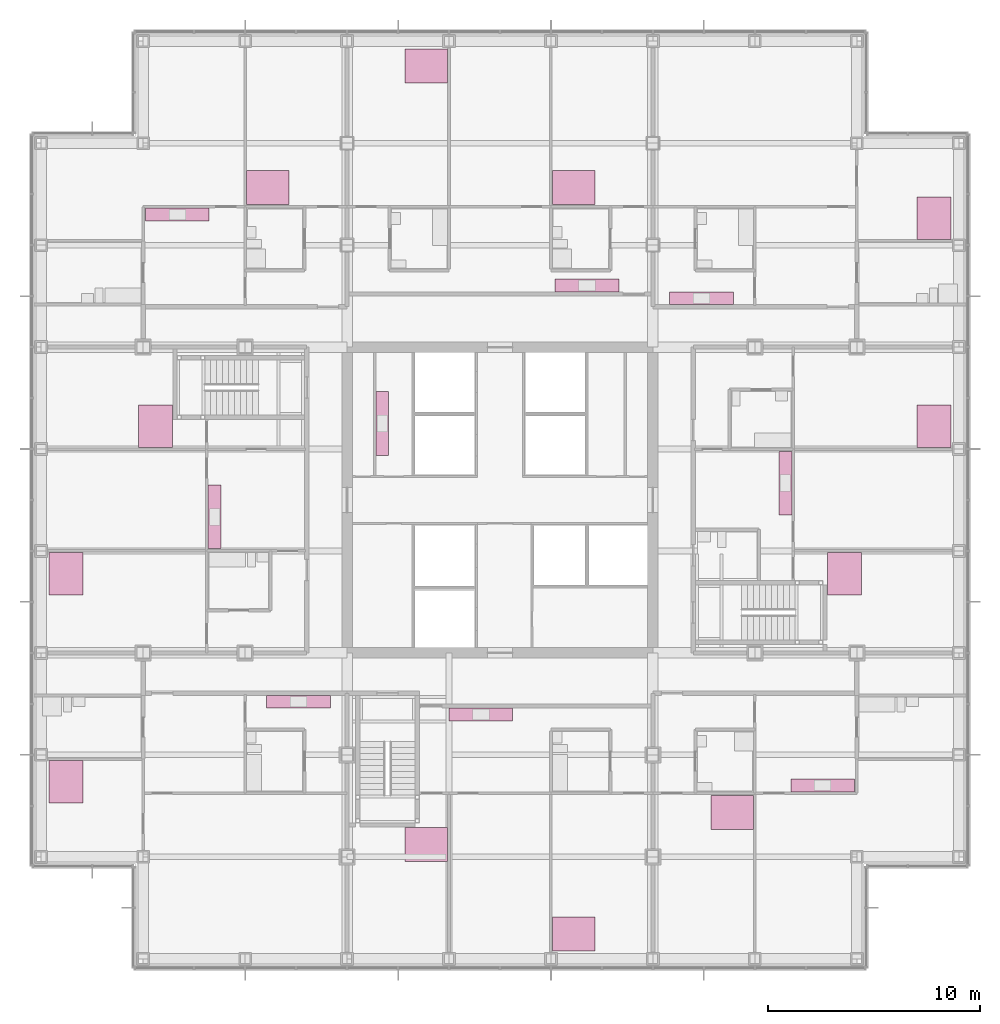
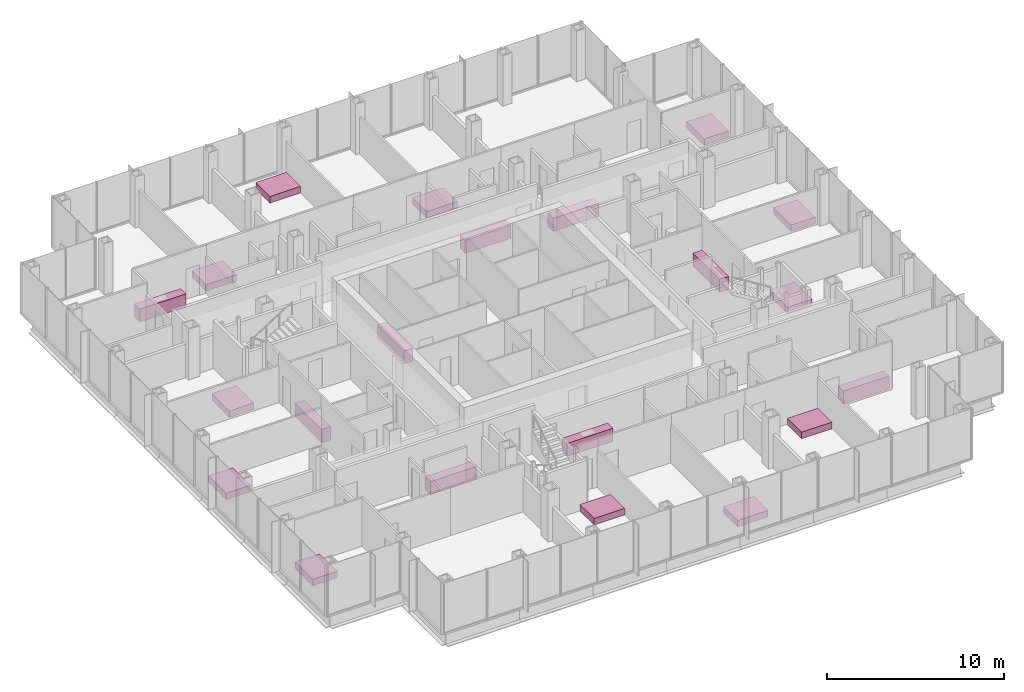
# One storey, part 21 of 21: 21 furniture elements.
"""IFC4 building model written with IfcOpenShell, lengths in metres."""

from ifc_helpers import new_model, si_unit, direction, frame, origin, origin_2d, place, context, subcontext, project, spatial, rectangle, extrude, material, type_object, element, save


model = new_model("IFC4")

# Units and contexts
model_context = context("Model", 3, precision=1e-05, world=origin(), true_north=direction((0.0, 1.0)))
body_context = subcontext(model_context, "Body", "Model", "MODEL_VIEW")
ifc_project = project(units=[si_unit("LENGTHUNIT", "METRE"), si_unit("AREAUNIT", "SQUARE_METRE"), si_unit("VOLUMEUNIT", "CUBIC_METRE"), si_unit("PLANEANGLEUNIT", "RADIAN"), si_unit("MASSUNIT", "GRAM", prefix="KILO")], contexts=[model_context])

# Site, building, storey
site_placement = place(None, origin())
site = spatial("IfcSite", under=ifc_project, at=site_placement, CompositionType="ELEMENT")
building_placement = place(site_placement, origin())
building = spatial("IfcBuilding", under=site, at=building_placement, Name="Kvirike Care Tower", CompositionType="ELEMENT")
storey_placement = place(building_placement, frame((0.0, 0.0, 65.5)))
storey = spatial("IfcBuildingStorey", under=building, at=storey_placement, Name="L17", CompositionType="ELEMENT", Elevation=65.5)

# Furniture
ifc_material_1 = material(Name="Timber", Category="wood")
furniture_type_1 = type_object("IfcFurnitureType", Name="DOUBLE BED 1600 x 2000", AssemblyPlace="FACTORY", PredefinedType="BED", material=ifc_material_1)
for number, where, z_axis, x_axis, name in (
    (1, (1.169921875, 22.738037109375, 0.0), (0.0, 0.0, 1.0), (1.0, 0.0, 0.0), "Double bed L17-002"),
    (2, (5.389892578125, 39.4619140625, 0.0), (0.0, 0.0, 1.0), (-1.0, 0.0, 0.0), "Double bed L17-010"),
    (3, (1.169921875, 32.5380859375, 0.0), (0.0, 0.0, 1.0), (1.0, 0.0, 0.0), "Double bed L17-012"),
    (4, (10.662109375, 50.7099609375, 0.0), (0.0, 0.0, 1.0), (0.0, 1.0, 0.0), "Double bed L17-018"),
    (5, (18.137939453125, 19.7900390625, 0.0), (0.0, 0.0, 1.0), (0.0, -1.0, 0.0), "Double bed L17-026"),
    (6, (25.06201171875, 15.570068359375, 0.0), (0.0, 0.0, 1.0), (0.0, 1.0, 0.0), "Double bed L17-028"),
    (7, (25.06201171875, 50.7099609375, 0.0), (0.0, 0.0, 1.0), (0.0, 1.0, 0.0), "Double bed L17-032"),
    (8, (18.137939453125, 56.429931640625, 0.0), (0.0, 0.0, 1.0), (0.0, -1.0, 0.0), "Double bed L17-034"),
    (9, (32.5380859375, 21.2900390625, 0.0), (0.0, 0.0, 1.0), (0.0, -1.0, 0.0), "Double bed L17-039"),
    (10, (37.81005859375, 32.5380859375, 0.0), (0.0, 0.0, 1.0), (1.0, 0.0, 0.0), "Double bed L17-047"),
    (11, (42.030029296875, 39.4619140625, 0.0), (0.0, 0.0, 1.0), (-1.0, 0.0, 0.0), "Double bed L17-049"),
    (12, (42.030029296875, 49.261962890625, 0.0), (0.0, 0.0, 1.0), (-1.0, 0.0, 0.0), "Double bed L17-055"),
):
    element("IfcFurniture", number, at=place(storey_placement, frame(where, z_axis=z_axis, x_axis=x_axis)), inside=storey, type_object=furniture_type_1, Name=name, PredefinedType="BED", context=body_context, shape_type="SweptSolid", body=[
        extrude(rectangle(XDim=1.60009765625, YDim=2.0, at=origin_2d()), origin(), (0.0, 0.0, 1.0), 0.449951171875),
    ])
ifc_material_2 = material(Name="Laminated board", Category="wood")
furniture_type_2 = type_object("IfcFurnitureType", Name="KITCHEN UNIT RUN 600", AssemblyPlace="FACTORY", PredefinedType="USERDEFINED", material=ifc_material_2)
for number, where, z_axis, x_axis, name in (
    (13, (12.110107421875, 26.498046875, 0.0), (0.0, 0.0, 1.0), (1.0, 0.0, 0.0), "Kitchen unit run L17-007"),
    (14, (8.162109375, 35.2099609375, 0.0), (0.0, 0.0, 1.0), (0.0, 1.0, 0.0), "Kitchen unit run L17-015"),
    (15, (6.409912109375, 49.43798828125, 0.0), (0.0, 0.0, 1.0), (1.0, 0.0, 0.0), "Kitchen unit run L17-023"),
    (16, (20.699951171875, 25.89794921875, 0.0), (0.0, 0.0, 1.0), (1.0, 0.0, 0.0), "Kitchen unit run L17-030"),
    (17, (25.699951171875, 46.10205078125, 0.0), (0.0, 0.0, 1.0), (-1.0, 0.0, 0.0), "Kitchen unit run L17-037"),
    (18, (36.7900390625, 22.56201171875, 0.0), (0.0, 0.0, 1.0), (-1.0, 0.0, 0.0), "Kitchen unit run L17-044"),
    (19, (35.0380859375, 36.7900390625, 0.0), (0.0, 0.0, 1.0), (0.0, -1.0, 0.0), "Kitchen unit run L17-052"),
    (20, (31.090087890625, 45.501953125, 0.0), (0.0, 0.0, 1.0), (-1.0, 0.0, 0.0), "Kitchen unit run L17-060"),
    (21, (16.052001953125, 39.60009765625, 0.0), (0.0, 0.0, 1.0), (0.0, 1.0, 0.0), "Kitchen unit run L17-067"),
):
    element("IfcFurniture", number, at=place(storey_placement, frame(where, z_axis=z_axis, x_axis=x_axis)), inside=storey, type_object=furniture_type_2, Name=name, ObjectType="KITCHEN UNIT", PredefinedType="USERDEFINED", context=body_context, shape_type="SweptSolid", body=[
        extrude(rectangle(XDim=3.0, YDim=0.60009765625, at=origin_2d()), origin(), (0.0, 0.0, 1.0), 0.89990234375),
    ])

save(model, "model.ifc")
